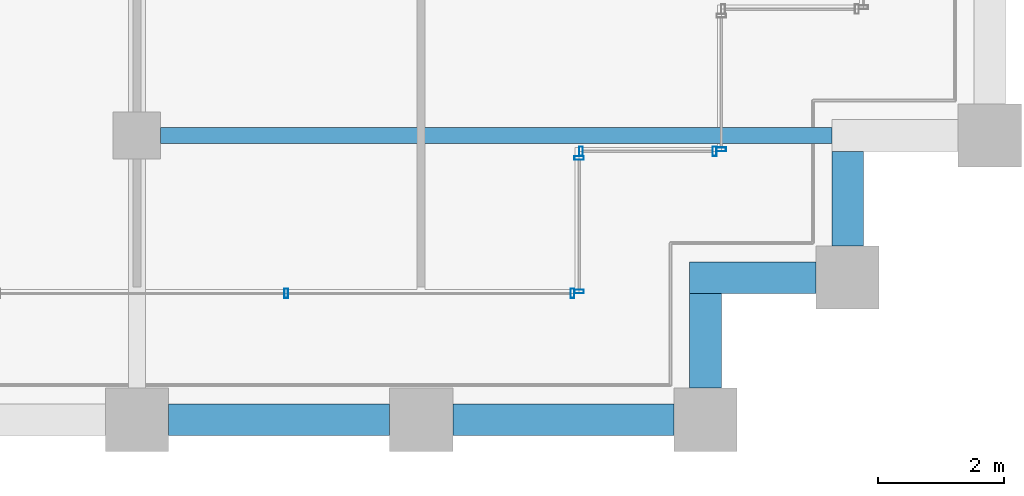
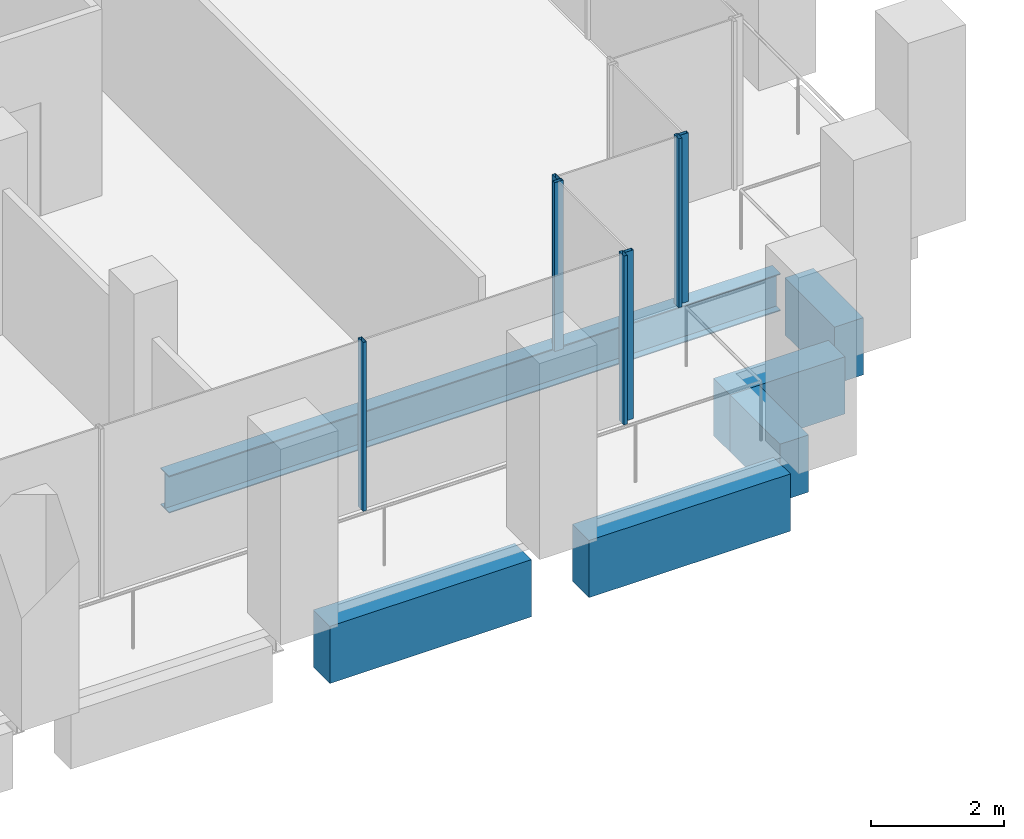
# One storey, part 12 of 46: 7 members, 6 beams, 4 elements without a shape of their own.
"""IFC4 building model written with IfcOpenShell, lengths in metres."""

from ifc_helpers import new_model, si_unit, direction, frame, origin, origin_2d, place, context, subcontext, project, spatial, rectangle, hollow_rectangle, i_section, extrude, material, material_profile, profile_set, type_object, element, aggregate, save


model = new_model("IFC4")

# Units and contexts
model_context = context("Model", 3, precision=1e-05, world=origin(), true_north=direction((0.0, 1.0)))
body_context = subcontext(model_context, "Body", "Model", "MODEL_VIEW")
ifc_project = project(units=[si_unit("LENGTHUNIT", "METRE"), si_unit("AREAUNIT", "SQUARE_METRE"), si_unit("VOLUMEUNIT", "CUBIC_METRE"), si_unit("PLANEANGLEUNIT", "RADIAN"), si_unit("MASSUNIT", "GRAM", prefix="KILO")], contexts=[model_context])

# Site, building, storey
site_placement = place(None, origin())
site = spatial("IfcSite", under=ifc_project, at=site_placement, CompositionType="ELEMENT")
building_placement = place(site_placement, origin())
building = spatial("IfcBuilding", under=site, at=building_placement, Name="Altepetl Exchange Towers", CompositionType="ELEMENT")
storey_placement = place(building_placement, frame((0.0, 0.0, 128.0)))
storey = spatial("IfcBuildingStorey", under=building, at=storey_placement, Name="L31", CompositionType="ELEMENT", Elevation=128.0)

# Beam
ifc_material_1 = material(Name="Steel S355", Category="steel")
ifc_material_profile_1 = material_profile(ifc_material_1, i_section(OverallWidth=0.25390625, OverallDepth=0.68408203125, WebThickness=0.012451171875, FlangeThickness=0.018798828125, at=origin_2d()), Name="W27X94")
ifc_profile_set_1 = profile_set([ifc_material_profile_1], Name="Steel S355")
beam_type_1 = type_object("IfcBeamType", Name="Floor beam W27X94", PredefinedType="BEAM", material=ifc_profile_set_1)
beam_1_placement = place(storey_placement, frame((58.875, 31.5, -0.491943359375), z_axis=(1.0, 0.0, 0.0), x_axis=(0.0, 1.0, 0.0)))
element("IfcBeam", 1, at=beam_1_placement, inside=storey, type_object=beam_type_1, Name="bm:A:L31:006", PredefinedType="BEAM", context=body_context, shape_type="SweptSolid", body=[
    extrude(i_section(OverallWidth=0.25390625, OverallDepth=0.68408203125, WebThickness=0.012451171875, FlangeThickness=0.018798828125, at=origin_2d()), origin(), (0.0, 0.0, 1.0), 10.625),
])

# Curtain wall, members
ifc_material_2 = material(Name="Aluminium 6063-T6 glazing", Category="aluminium")
curtain_wall_type = type_object("IfcCurtainWallType", Name="Loggia glazing system", PredefinedType="NOTDEFINED", material=ifc_material_2)
curtain_wall_1_placement = place(storey_placement, origin())
curtain_wall_1 = element("IfcCurtainWall", 2, at=curtain_wall_1_placement, inside=storey, type_object=curtain_wall_type, Name="CW1 run", PredefinedType="NOTDEFINED")
ifc_material_3 = material(Name="Aluminium 6063-T6", Category="aluminium")
ifc_material_profile_2 = material_profile(ifc_material_3, hollow_rectangle(XDim=0.06005859375, YDim=0.14990234375, WallThickness=0.0029296875, at=origin_2d()), Name="Mullion 60x150 aluminium")
ifc_profile_set_2 = profile_set([ifc_material_profile_2], Name="Aluminium 6063-T6")
member_type = type_object("IfcMemberType", Name="Mullion 60x150 aluminium", PredefinedType="MULLION", material=ifc_profile_set_2)
member_1_placement = place(storey_placement, frame((60.8642578125, 29.0, 0.0)))
member_1 = element("IfcMember", 3, at=member_1_placement, type_object=member_type, Name="MU1 mullion", PredefinedType="MULLION", context=body_context, shape_type="SweptSolid", body=[
    extrude(hollow_rectangle(XDim=0.06005859375, YDim=0.14990234375, WallThickness=0.0029296875, at=origin_2d()), origin(), (0.0, 0.0, 1.0), 3.10009765625),
])
member_2_placement = place(storey_placement, frame((65.39501953125, 29.0, 0.0)))
member_2 = element("IfcMember", 4, at=member_2_placement, type_object=member_type, Name="MU1 mullion", PredefinedType="MULLION", context=body_context, shape_type="SweptSolid", body=[
    extrude(hollow_rectangle(XDim=0.06005859375, YDim=0.14990234375, WallThickness=0.0029296875, at=origin_2d()), origin(), (0.0, 0.0, 1.0), 3.10009765625),
])
aggregate(curtain_wall_1, [member_1, member_2])

curtain_wall_2_placement = place(storey_placement, origin())
curtain_wall_2 = element("IfcCurtainWall", 5, at=curtain_wall_2_placement, inside=storey, type_object=curtain_wall_type, Name="CW1 run", PredefinedType="NOTDEFINED")
member_3_placement = place(storey_placement, frame((65.5, 29.030029296875, 0.0), z_axis=(0.0, 0.0, 1.0), x_axis=(0.0, 1.0, 0.0)))
member_3 = element("IfcMember", 6, at=member_3_placement, type_object=member_type, Name="MU1 mullion", PredefinedType="MULLION", context=body_context, shape_type="SweptSolid", body=[
    extrude(hollow_rectangle(XDim=0.06005859375, YDim=0.14990234375, WallThickness=0.0029296875, at=origin_2d()), origin(), (0.0, 0.0, 1.0), 3.10009765625),
])
member_4_placement = place(storey_placement, frame((65.5, 31.14501953125, 0.0), z_axis=(0.0, 0.0, 1.0), x_axis=(0.0, 1.0, 0.0)))
member_4 = element("IfcMember", 7, at=member_4_placement, type_object=member_type, Name="MU1 mullion", PredefinedType="MULLION", context=body_context, shape_type="SweptSolid", body=[
    extrude(hollow_rectangle(XDim=0.06005859375, YDim=0.14990234375, WallThickness=0.0029296875, at=origin_2d()), origin(), (0.0, 0.0, 1.0), 3.10009765625),
])
aggregate(curtain_wall_2, [member_3, member_4])

curtain_wall_3_placement = place(storey_placement, origin())
curtain_wall_3 = element("IfcCurtainWall", 8, at=curtain_wall_3_placement, inside=storey, type_object=curtain_wall_type, Name="CW1 run", PredefinedType="NOTDEFINED")
member_5_placement = place(storey_placement, frame((65.530029296875, 31.25, 0.0)))
member_5 = element("IfcMember", 9, at=member_5_placement, type_object=member_type, Name="MU1 mullion", PredefinedType="MULLION", context=body_context, shape_type="SweptSolid", body=[
    extrude(hollow_rectangle(XDim=0.06005859375, YDim=0.14990234375, WallThickness=0.0029296875, at=origin_2d()), origin(), (0.0, 0.0, 1.0), 3.10009765625),
])
member_6_placement = place(storey_placement, frame((67.64501953125, 31.25, 0.0)))
member_6 = element("IfcMember", 10, at=member_6_placement, type_object=member_type, Name="MU1 mullion", PredefinedType="MULLION", context=body_context, shape_type="SweptSolid", body=[
    extrude(hollow_rectangle(XDim=0.06005859375, YDim=0.14990234375, WallThickness=0.0029296875, at=origin_2d()), origin(), (0.0, 0.0, 1.0), 3.10009765625),
])
aggregate(curtain_wall_3, [member_5, member_6])

# Curtain wall, member
curtain_wall_4_placement = place(storey_placement, origin())
curtain_wall_4 = element("IfcCurtainWall", 11, at=curtain_wall_4_placement, inside=storey, type_object=curtain_wall_type, Name="CW1 run", PredefinedType="NOTDEFINED")
member_7_placement = place(storey_placement, frame((67.75, 31.280029296875, 0.0), z_axis=(0.0, 0.0, 1.0), x_axis=(0.0, 1.0, 0.0)))
member_7 = element("IfcMember", 12, at=member_7_placement, type_object=member_type, Name="MU1 mullion", PredefinedType="MULLION", context=body_context, shape_type="SweptSolid", body=[
    extrude(hollow_rectangle(XDim=0.06005859375, YDim=0.14990234375, WallThickness=0.0029296875, at=origin_2d()), origin(), (0.0, 0.0, 1.0), 3.10009765625),
])
aggregate(curtain_wall_4, [member_7])

# Beams
ifc_material_4 = material(Name="Concrete C50/60 precast with cantera amarilla facing", Category="concrete")
ifc_material_profile_3 = material_profile(ifc_material_4, rectangle(XDim=0.5, YDim=1.050048828125, at=origin_2d()), Name="500 x 1050")
ifc_profile_set_3 = profile_set([ifc_material_profile_3], Name="Concrete C50/60 precast with cantera amarilla facing")
beam_type_2 = type_object("IfcBeamType", Name="Spandrel beam 500x1050 cantera amarilla", PredefinedType="SPANDREL", material=ifc_profile_set_3)
for number, where, z_axis, x_axis, name in (
    (13, (59.0, 27.0, -0.675048828125), (1.0, 0.0, 0.0), (0.0, 1.0, 0.0), "sp:A:L31:006"),
    (14, (63.5, 27.0, -0.675048828125), (1.0, 0.0, 0.0), (0.0, 1.0, 0.0), "sp:A:L31:007"),
):
    element("IfcBeam", number, at=place(storey_placement, frame(where, z_axis=z_axis, x_axis=x_axis)), inside=storey, type_object=beam_type_2, Name=name, PredefinedType="SPANDREL", context=body_context, shape_type="SweptSolid", body=[
        extrude(rectangle(XDim=0.5, YDim=1.050048828125, at=origin_2d()), origin(), (0.0, 0.0, 1.0), 3.5),
    ])
beam_2_placement = place(storey_placement, frame((67.5, 27.5, -0.675048828125), z_axis=(0.0, 1.0, 0.0), x_axis=(-1.0, 0.0, 0.0)))
element("IfcBeam", 15, at=beam_2_placement, inside=storey, type_object=beam_type_2, Name="sp:A:L31:008", PredefinedType="SPANDREL", context=body_context, shape_type="SweptSolid", body=[
    extrude(rectangle(XDim=0.5, YDim=1.050048828125, at=origin_2d()), origin(), (0.0, 0.0, 1.0), 1.5),
])
beam_3_placement = place(storey_placement, frame((67.25, 29.25, -0.675048828125), z_axis=(1.0, 0.0, 0.0), x_axis=(0.0, 1.0, 0.0)))
element("IfcBeam", 16, at=beam_3_placement, inside=storey, type_object=beam_type_2, Name="sp:A:L31:009", PredefinedType="SPANDREL", context=body_context, shape_type="SweptSolid", body=[
    extrude(rectangle(XDim=0.5, YDim=1.050048828125, at=origin_2d()), origin(), (0.0, 0.0, 1.0), 2.0),
])
beam_4_placement = place(storey_placement, frame((69.75, 29.75, -0.675048828125), z_axis=(0.0, 1.0, 0.0), x_axis=(-1.0, 0.0, 0.0)))
element("IfcBeam", 17, at=beam_4_placement, inside=storey, type_object=beam_type_2, Name="sp:A:L31:010", PredefinedType="SPANDREL", context=body_context, shape_type="SweptSolid", body=[
    extrude(rectangle(XDim=0.5, YDim=1.050048828125, at=origin_2d()), origin(), (0.0, 0.0, 1.0), 1.5),
])

save(model, "model.ifc")
